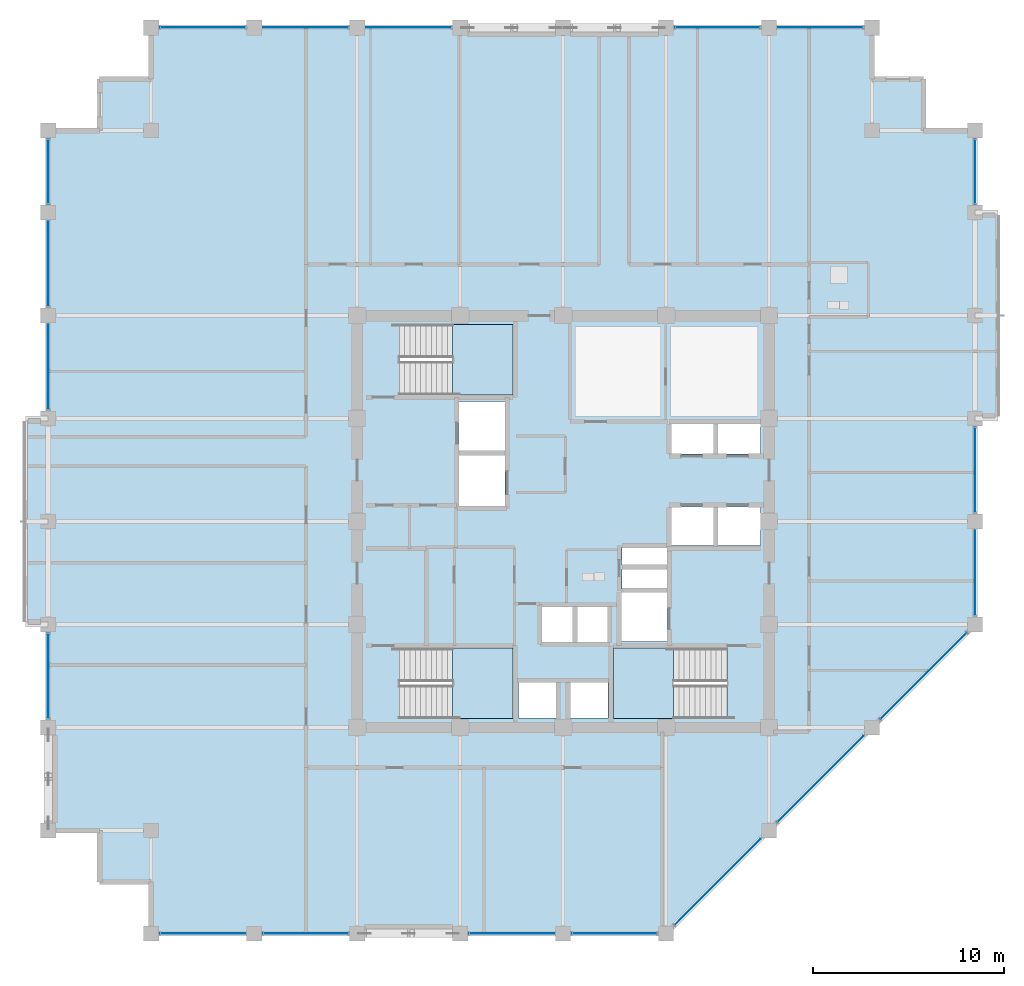
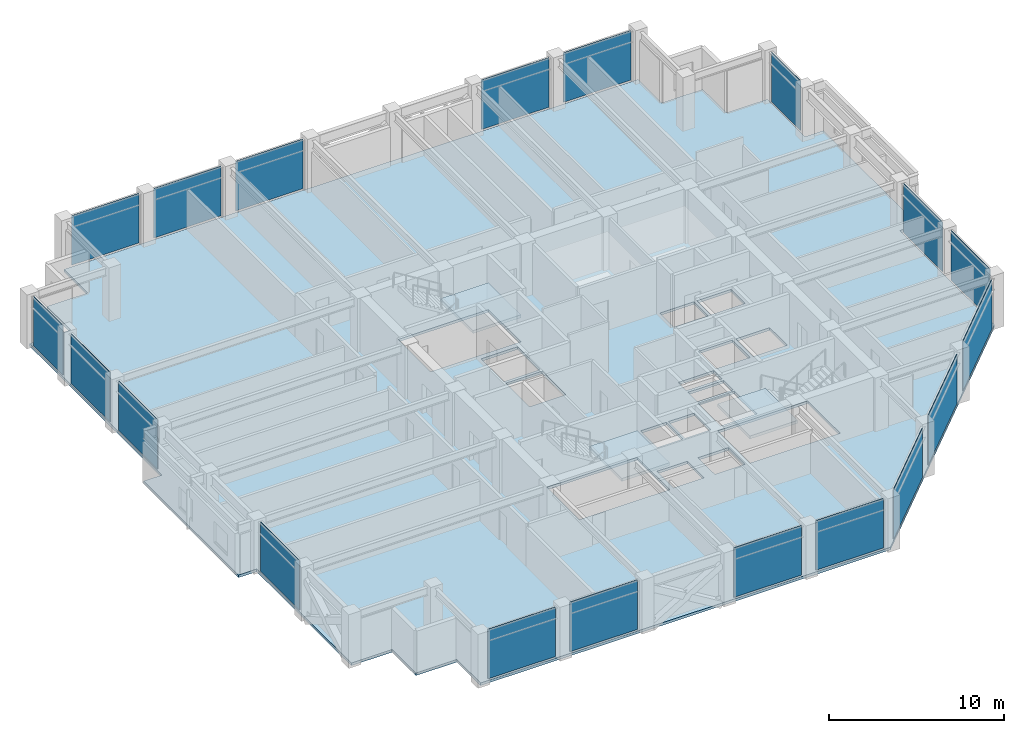
# One storey, part 23 of 30: 19 plates, 4 slabs, 12 elements without a shape of their own.
"""IFC4 building model written with IfcOpenShell, lengths in metres."""

from ifc_helpers import new_model, si_unit, direction, frame, frame_2d, origin, place, context, subcontext, project, spatial, polyline, rectangle, outline, extrude, material, layer, layer_set, type_object, element, aggregate, save


model = new_model("IFC4")

# Units and contexts
model_context = context("Model", 3, precision=1e-05, world=origin(), true_north=direction((0.0, 1.0)))
body_context = subcontext(model_context, "Body", "Model", "MODEL_VIEW")
ifc_project = project(units=[si_unit("LENGTHUNIT", "METRE"), si_unit("AREAUNIT", "SQUARE_METRE"), si_unit("VOLUMEUNIT", "CUBIC_METRE"), si_unit("PLANEANGLEUNIT", "RADIAN"), si_unit("MASSUNIT", "GRAM", prefix="KILO")], contexts=[model_context])

# Site, building, storey
site_placement = place(None, origin())
site = spatial("IfcSite", under=ifc_project, at=site_placement, CompositionType="ELEMENT")
building_placement = place(site_placement, origin())
building = spatial("IfcBuilding", under=site, at=building_placement, Name="Surkhivell Harbour Commons", CompositionType="ELEMENT")
storey_placement = place(building_placement, frame((0.0, 0.0, 227.25)))
storey = spatial("IfcBuildingStorey", under=building, at=storey_placement, Name="L59", CompositionType="ELEMENT", Elevation=227.25)

# Curtain wall, plates
ifc_material_1 = material(Name="Anodised pale-metal aluminium and insulated glazing", Category="aluminium")
ifc_layer_1 = layer(ifc_material_1, 0.18994140625)
ifc_layer_set_1 = layer_set([ifc_layer_1], Name="Anodised pale-metal aluminium and insulated glazing")
curtain_wall_type = type_object("IfcCurtainWallType", Name="CW-SYS-Z3", PredefinedType="NOTDEFINED", material=ifc_layer_set_1)
curtain_wall_1_placement = place(storey_placement, origin())
curtain_wall_1 = element("IfcCurtainWall", 1, at=curtain_wall_1_placement, inside=storey, type_object=curtain_wall_type, Name="L59 Curtain Wall CW-L59-E00S1", PredefinedType="NOTDEFINED")
ifc_material_2 = material(Name="High-pressure typhoon laminated vision glass", Category="glass")
ifc_layer_2 = layer(ifc_material_2, 0.035888671875)
ifc_layer_set_2 = layer_set([ifc_layer_2], Name="High-pressure typhoon laminated vision glass")
plate_type = type_object("IfcPlateType", Name="CWP-GLZ-36", PredefinedType="CURTAIN_PANEL", material=ifc_layer_set_2)
plate_1_placement = place(storey_placement, frame((-21.123046875, -21.60009765625, 0.1298828125), z_axis=(0.0, 0.0, 1.0), x_axis=(1.0, 0.0, 0.0)))
plate_1 = element("IfcPlate", 2, at=plate_1_placement, type_object=plate_type, Name="CW-Z3 panel 1.1", PredefinedType="CURTAIN_PANEL", context=body_context, shape_type="SweptSolid", body=[
    extrude(rectangle(XDim=4.446044921875, YDim=0.035888671875, at=frame_2d((2.22314453125, 0.0))), origin(), (0.0, 0.0, 1.0), 3.440185546875),
])
plate_2_placement = place(storey_placement, frame((-15.722900390625, -21.60009765625, 0.1298828125), z_axis=(0.0, 0.0, 1.0), x_axis=(1.0, 0.0, 0.0)))
plate_2 = element("IfcPlate", 3, at=plate_2_placement, type_object=plate_type, Name="CW-Z3 panel 2.1", PredefinedType="CURTAIN_PANEL", context=body_context, shape_type="SweptSolid", body=[
    extrude(rectangle(XDim=4.44580078125, YDim=0.035888671875, at=frame_2d((2.222900390625, 0.0))), origin(), (0.0, 0.0, 1.0), 3.440185546875),
])
aggregate(curtain_wall_1, [plate_1, plate_2])

curtain_wall_2_placement = place(storey_placement, origin())
curtain_wall_2 = element("IfcCurtainWall", 4, at=curtain_wall_2_placement, inside=storey, type_object=curtain_wall_type, Name="L59 Curtain Wall CW-L59-E00S2", PredefinedType="NOTDEFINED")
plate_3_placement = place(storey_placement, frame((-4.923095703125, -21.60009765625, 0.1298828125), z_axis=(0.0, 0.0, 1.0), x_axis=(1.0, 0.0, 0.0)))
plate_3 = element("IfcPlate", 5, at=plate_3_placement, type_object=plate_type, Name="CW-Z3 panel 1.1", PredefinedType="CURTAIN_PANEL", context=body_context, shape_type="SweptSolid", body=[
    extrude(rectangle(XDim=4.446044921875, YDim=0.035888671875, at=frame_2d((2.22314453125, 0.0))), origin(), (0.0, 0.0, 1.0), 3.440185546875),
])
plate_4_placement = place(storey_placement, frame((0.47705078125, -21.60009765625, 0.1298828125), z_axis=(0.0, 0.0, 1.0), x_axis=(1.0, 0.0, 0.0)))
plate_4 = element("IfcPlate", 6, at=plate_4_placement, type_object=plate_type, Name="CW-Z3 panel 2.1", PredefinedType="CURTAIN_PANEL", context=body_context, shape_type="SweptSolid", body=[
    extrude(rectangle(XDim=4.446044921875, YDim=0.035888671875, at=frame_2d((2.22314453125, 0.0))), origin(), (0.0, 0.0, 1.0), 3.440185546875),
])
aggregate(curtain_wall_2, [plate_3, plate_4])

curtain_wall_3_placement = place(storey_placement, origin())
curtain_wall_3 = element("IfcCurtainWall", 7, at=curtain_wall_3_placement, inside=storey, type_object=curtain_wall_type, Name="L59 Curtain Wall CW-L59-E01", PredefinedType="NOTDEFINED")
plate_5_placement = place(storey_placement, frame((5.854736328125, -21.145263671875, 0.1298828125), z_axis=(0.0, 0.0, 1.0), x_axis=(0.707106781187, 0.707106781187, 0.0)))
plate_5 = element("IfcPlate", 8, at=plate_5_placement, type_object=plate_type, Name="CW-Z3 panel 1.1", PredefinedType="CURTAIN_PANEL", context=body_context, shape_type="SweptSolid", body=[
    extrude(rectangle(XDim=6.3505859375, YDim=0.035888671875, at=frame_2d((3.17529296875, 0.0))), origin(), (0.0, 0.0, 1.0), 3.440185546875),
])
plate_6_placement = place(storey_placement, frame((11.254638671875, -15.745361328125, 0.1298828125), z_axis=(0.0, 0.0, 1.0), x_axis=(0.707106781187, 0.707106781187, 0.0)))
plate_6 = element("IfcPlate", 9, at=plate_6_placement, type_object=plate_type, Name="CW-Z3 panel 2.1", PredefinedType="CURTAIN_PANEL", context=body_context, shape_type="SweptSolid", body=[
    extrude(rectangle(XDim=6.350830078125, YDim=0.035888671875, at=frame_2d((3.17529296875, 0.0))), origin(), (0.0, 0.0, 1.0), 3.440185546875),
])
plate_7_placement = place(storey_placement, frame((16.65478515625, -10.34521484375, 0.1298828125), z_axis=(0.0, 0.0, 1.0), x_axis=(0.707106781187, 0.707106781187, 0.0)))
plate_7 = element("IfcPlate", 10, at=plate_7_placement, type_object=plate_type, Name="CW-Z3 panel 3.1", PredefinedType="CURTAIN_PANEL", context=body_context, shape_type="SweptSolid", body=[
    extrude(rectangle(XDim=6.3505859375, YDim=0.035888671875, at=frame_2d((3.17529296875, 0.0))), origin(), (0.0, 0.0, 1.0), 3.440185546875),
])
aggregate(curtain_wall_3, [plate_5, plate_6, plate_7])

curtain_wall_4_placement = place(storey_placement, origin())
curtain_wall_4 = element("IfcCurtainWall", 11, at=curtain_wall_4_placement, inside=storey, type_object=curtain_wall_type, Name="L59 Curtain Wall CW-L59-E02R1", PredefinedType="NOTDEFINED")
plate_8_placement = place(storey_placement, frame((21.60009765625, -4.923095703125, 0.1298828125), z_axis=(0.0, 0.0, 1.0), x_axis=(0.0, 1.0, 0.0)))
plate_8 = element("IfcPlate", 12, at=plate_8_placement, type_object=plate_type, Name="CW-Z3 panel 1.1", PredefinedType="CURTAIN_PANEL", context=body_context, shape_type="SweptSolid", body=[
    extrude(rectangle(XDim=4.446044921875, YDim=0.035888671875, at=frame_2d((2.22314453125, 0.0))), origin(), (0.0, 0.0, 1.0), 3.440185546875),
])
plate_9_placement = place(storey_placement, frame((21.60009765625, 0.47705078125, 0.1298828125), z_axis=(0.0, 0.0, 1.0), x_axis=(0.0, 1.0, 0.0)))
plate_9 = element("IfcPlate", 13, at=plate_9_placement, type_object=plate_type, Name="CW-Z3 panel 2.1", PredefinedType="CURTAIN_PANEL", context=body_context, shape_type="SweptSolid", body=[
    extrude(rectangle(XDim=4.446044921875, YDim=0.035888671875, at=frame_2d((2.22314453125, 0.0))), origin(), (0.0, 0.0, 1.0), 3.440185546875),
])
aggregate(curtain_wall_4, [plate_8, plate_9])

# Curtain wall, plate
curtain_wall_5_placement = place(storey_placement, origin())
curtain_wall_5 = element("IfcCurtainWall", 14, at=curtain_wall_5_placement, inside=storey, type_object=curtain_wall_type, Name="L59 Curtain Wall CW-L59-E02R2", PredefinedType="NOTDEFINED")
plate_10_placement = place(storey_placement, frame((21.60009765625, 16.677001953125, 0.1298828125), z_axis=(0.0, 0.0, 1.0), x_axis=(0.0, 1.0, 0.0)))
plate_10 = element("IfcPlate", 15, at=plate_10_placement, type_object=plate_type, Name="CW-Z3 panel 1.1", PredefinedType="CURTAIN_PANEL", context=body_context, shape_type="SweptSolid", body=[
    extrude(rectangle(XDim=3.345947265625, YDim=0.035888671875, at=frame_2d((1.6728515625, 0.0))), origin(), (0.0, 0.0, 1.0), 3.440185546875),
])
aggregate(curtain_wall_5, [plate_10])

# Curtain wall, plates
curtain_wall_6_placement = place(storey_placement, origin())
curtain_wall_6 = element("IfcCurtainWall", 16, at=curtain_wall_6_placement, inside=storey, type_object=curtain_wall_type, Name="L59 Curtain Wall CW-L59-E07S1", PredefinedType="NOTDEFINED")
plate_11_placement = place(storey_placement, frame((15.722900390625, 25.89990234375, 0.1298828125), z_axis=(0.0, 0.0, 1.0), x_axis=(-1.0, 0.0, 0.0)))
plate_11 = element("IfcPlate", 17, at=plate_11_placement, type_object=plate_type, Name="CW-Z3 panel 1.1", PredefinedType="CURTAIN_PANEL", context=body_context, shape_type="SweptSolid", body=[
    extrude(rectangle(XDim=4.44580078125, YDim=0.035888671875, at=frame_2d((2.222900390625, 0.0))), origin(), (0.0, 0.0, 1.0), 3.440185546875),
])
plate_12_placement = place(storey_placement, frame((10.322998046875, 25.89990234375, 0.1298828125), z_axis=(0.0, 0.0, 1.0), x_axis=(-1.0, 0.0, 0.0)))
plate_12 = element("IfcPlate", 18, at=plate_12_placement, type_object=plate_type, Name="CW-Z3 panel 2.1", PredefinedType="CURTAIN_PANEL", context=body_context, shape_type="SweptSolid", body=[
    extrude(rectangle(XDim=4.446044921875, YDim=0.035888671875, at=frame_2d((2.22314453125, 0.0))), origin(), (0.0, 0.0, 1.0), 3.440185546875),
])
aggregate(curtain_wall_6, [plate_11, plate_12])

curtain_wall_7_placement = place(storey_placement, origin())
curtain_wall_7 = element("IfcCurtainWall", 19, at=curtain_wall_7_placement, inside=storey, type_object=curtain_wall_type, Name="L59 Curtain Wall CW-L59-E07S2", PredefinedType="NOTDEFINED")
plate_13_placement = place(storey_placement, frame((-5.876953125, 25.89990234375, 0.1298828125), z_axis=(0.0, 0.0, 1.0), x_axis=(-1.0, 0.0, 0.0)))
plate_13 = element("IfcPlate", 20, at=plate_13_placement, type_object=plate_type, Name="CW-Z3 panel 1.1", PredefinedType="CURTAIN_PANEL", context=body_context, shape_type="SweptSolid", body=[
    extrude(rectangle(XDim=4.446044921875, YDim=0.035888671875, at=frame_2d((2.22314453125, 0.0))), origin(), (0.0, 0.0, 1.0), 3.440185546875),
])
plate_14_placement = place(storey_placement, frame((-11.277099609375, 25.89990234375, 0.1298828125), z_axis=(0.0, 0.0, 1.0), x_axis=(-1.0, 0.0, 0.0)))
plate_14 = element("IfcPlate", 21, at=plate_14_placement, type_object=plate_type, Name="CW-Z3 panel 2.1", PredefinedType="CURTAIN_PANEL", context=body_context, shape_type="SweptSolid", body=[
    extrude(rectangle(XDim=4.44580078125, YDim=0.035888671875, at=frame_2d((2.222900390625, 0.0))), origin(), (0.0, 0.0, 1.0), 3.440185546875),
])
plate_15_placement = place(storey_placement, frame((-16.677001953125, 25.89990234375, 0.1298828125), z_axis=(0.0, 0.0, 1.0), x_axis=(-1.0, 0.0, 0.0)))
plate_15 = element("IfcPlate", 22, at=plate_15_placement, type_object=plate_type, Name="CW-Z3 panel 3.1", PredefinedType="CURTAIN_PANEL", context=body_context, shape_type="SweptSolid", body=[
    extrude(rectangle(XDim=4.446044921875, YDim=0.035888671875, at=frame_2d((2.22314453125, 0.0))), origin(), (0.0, 0.0, 1.0), 3.440185546875),
])
aggregate(curtain_wall_7, [plate_13, plate_14, plate_15])

# Curtain wall, plate
curtain_wall_8_placement = place(storey_placement, origin())
curtain_wall_8 = element("IfcCurtainWall", 23, at=curtain_wall_8_placement, inside=storey, type_object=curtain_wall_type, Name="L59 Curtain Wall CW-L59-E12R1S1", PredefinedType="NOTDEFINED")
plate_16_placement = place(storey_placement, frame((-27.0, -10.322998046875, 0.1298828125), z_axis=(0.0, 0.0, 1.0), x_axis=(0.0, 1.0, 0.0)))
plate_16 = element("IfcPlate", 24, at=plate_16_placement, type_object=plate_type, Name="CW-Z3 panel 1.1", PredefinedType="CURTAIN_PANEL", context=body_context, shape_type="SweptSolid", body=[
    extrude(rectangle(XDim=4.446044921875, YDim=0.035888671875, at=frame_2d((2.22314453125, 0.0))), origin(), (0.0, 0.0, 1.0), 3.440185546875),
])
aggregate(curtain_wall_8, [plate_16])

# Curtain wall, plates
curtain_wall_9_placement = place(storey_placement, origin())
curtain_wall_9 = element("IfcCurtainWall", 25, at=curtain_wall_9_placement, inside=storey, type_object=curtain_wall_type, Name="L59 Curtain Wall CW-L59-E12R2", PredefinedType="NOTDEFINED")
plate_17_placement = place(storey_placement, frame((-27.0, 5.876953125, 0.1298828125), z_axis=(0.0, 0.0, 1.0), x_axis=(0.0, 1.0, 0.0)))
plate_17 = element("IfcPlate", 26, at=plate_17_placement, type_object=plate_type, Name="CW-Z3 panel 1.1", PredefinedType="CURTAIN_PANEL", context=body_context, shape_type="SweptSolid", body=[
    extrude(rectangle(XDim=4.446044921875, YDim=0.035888671875, at=frame_2d((2.22314453125, 0.0))), origin(), (0.0, 0.0, 1.0), 3.440185546875),
])
plate_18_placement = place(storey_placement, frame((-27.0, 11.277099609375, 0.1298828125), z_axis=(0.0, 0.0, 1.0), x_axis=(0.0, 1.0, 0.0)))
plate_18 = element("IfcPlate", 27, at=plate_18_placement, type_object=plate_type, Name="CW-Z3 panel 2.1", PredefinedType="CURTAIN_PANEL", context=body_context, shape_type="SweptSolid", body=[
    extrude(rectangle(XDim=4.44580078125, YDim=0.035888671875, at=frame_2d((2.222900390625, 0.0))), origin(), (0.0, 0.0, 1.0), 3.440185546875),
])
plate_19_placement = place(storey_placement, frame((-27.0, 16.677001953125, 0.1298828125), z_axis=(0.0, 0.0, 1.0), x_axis=(0.0, 1.0, 0.0)))
plate_19 = element("IfcPlate", 28, at=plate_19_placement, type_object=plate_type, Name="CW-Z3 panel 3.1", PredefinedType="CURTAIN_PANEL", context=body_context, shape_type="SweptSolid", body=[
    extrude(rectangle(XDim=3.345947265625, YDim=0.035888671875, at=frame_2d((1.6728515625, 0.0))), origin(), (0.0, 0.0, 1.0), 3.440185546875),
])
aggregate(curtain_wall_9, [plate_17, plate_18, plate_19])

# Stair, slab
ifc_material_3 = material(Name="Precast concrete C45/55", Category="concrete")
stair_type = type_object("IfcStairType", Name="STR-DL-375", PredefinedType="HALF_TURN_STAIR", material=ifc_material_3)
stair_1_placement = place(storey_placement, origin())
stair_1 = element("IfcStair", 29, at=stair_1_placement, inside=storey, type_object=stair_type, Name="L59 Core Exit Stair ST1", PredefinedType="HALF_TURN_STAIR")
ifc_material_4 = material(Name="Reinforced concrete C45/55", Category="concrete")
ifc_layer_3 = layer(ifc_material_4, 0.199951171875)
ifc_layer_set_3 = layer_set([ifc_layer_3], Name="Reinforced concrete C45/55")
slab_type_1 = type_object("IfcSlabType", Name="SLB-ST-LND200", PredefinedType="LANDING", material=ifc_layer_set_3)
slab_1_placement = place(storey_placement, frame((0.0, 0.0, 1.675048828125)))
slab_1 = element("IfcSlab", 30, at=slab_1_placement, type_object=slab_type_1, Name="ST1 landing 1", PredefinedType="LANDING", context=body_context, shape_type="SweptSolid", body=[
    extrude(outline(polyline([(-5.7900390625, 6.639892578125), (-2.639892578125, 6.639892578125), (-2.639892578125, 10.340087890625), (-5.7900390625, 10.340087890625), (-5.7900390625, 6.639892578125)])), origin(), (0.0, 0.0, 1.0), 0.199951171875),
])
aggregate(stair_1, [slab_1])

stair_2_placement = place(storey_placement, origin())
stair_2 = element("IfcStair", 31, at=stair_2_placement, inside=storey, type_object=stair_type, Name="L59 Core Exit Stair ST2", PredefinedType="HALF_TURN_STAIR")
slab_2_placement = place(storey_placement, frame((0.0, 0.0, 1.675048828125)))
slab_2 = element("IfcSlab", 32, at=slab_2_placement, type_object=slab_type_1, Name="ST2 landing 1", PredefinedType="LANDING", context=body_context, shape_type="SweptSolid", body=[
    extrude(outline(polyline([(5.7900390625, -6.639892578125), (2.639892578125, -6.639892578125), (2.639892578125, -10.340087890625), (5.7900390625, -10.340087890625), (5.7900390625, -6.639892578125)])), origin(), (0.0, 0.0, 1.0), 0.199951171875),
])
aggregate(stair_2, [slab_2])

stair_3_placement = place(storey_placement, origin())
stair_3 = element("IfcStair", 33, at=stair_3_placement, inside=storey, type_object=stair_type, Name="L59 Core Exit Stair ST3", PredefinedType="HALF_TURN_STAIR")
slab_3_placement = place(storey_placement, frame((0.0, 0.0, 1.675048828125)))
slab_3 = element("IfcSlab", 34, at=slab_3_placement, type_object=slab_type_1, Name="ST3 landing 1", PredefinedType="LANDING", context=body_context, shape_type="SweptSolid", body=[
    extrude(outline(polyline([(-5.7900390625, -10.340087890625), (-2.639892578125, -10.340087890625), (-2.639892578125, -6.639892578125), (-5.7900390625, -6.639892578125), (-5.7900390625, -10.340087890625)])), origin(), (0.0, 0.0, 1.0), 0.199951171875),
])
aggregate(stair_3, [slab_3])

# Slab
ifc_material_5 = material(Name="Concrete C45/55", Category="concrete")
ifc_layer_4 = layer(ifc_material_5, 0.179931640625)
ifc_layer_set_4 = layer_set([ifc_layer_4], Name="Concrete C45/55")
slab_type_2 = type_object("IfcSlabType", Name="SLB-TYP-180", PredefinedType="FLOOR", material=ifc_layer_set_4)
slab_4_placement = place(storey_placement, frame((0.0, 0.0, -0.179931640625)))
element("IfcSlab", 35, at=slab_4_placement, inside=storey, type_object=slab_type_2, Name="L59 Structural Floor Slab", PredefinedType="FLOOR", context=body_context, shape_type="SweptSolid", body=[
    extrude(outline(polyline([(-27.0, 20.5), (-27.0, 5.39990234375), (-28.199951171875, 5.39990234375), (-28.199951171875, -5.39990234375), (-27.0, -5.39990234375), (-27.0, -16.199951171875), (-24.300048828125, -16.199951171875), (-24.300048828125, -18.89990234375), (-21.60009765625, -18.89990234375), (-21.60009765625, -21.60009765625), (5.39990234375, -21.60009765625), (21.60009765625, -5.39990234375), (21.60009765625, 5.39990234375), (22.800048828125, 5.39990234375), (22.800048828125, 16.199951171875), (21.60009765625, 16.199951171875), (21.60009765625, 20.5), (18.89990234375, 20.5), (18.89990234375, 23.199951171875), (16.199951171875, 23.199951171875), (16.199951171875, 25.89990234375), (-21.60009765625, 25.89990234375), (-21.60009765625, 23.199951171875), (-24.300048828125, 23.199951171875), (-24.300048828125, 20.5), (-27.0, 20.5)]), holes=[polyline([(-8.590087890625, 6.639892578125), (-2.639892578125, 6.639892578125), (-2.639892578125, 10.340087890625), (-8.590087890625, 10.340087890625), (-8.590087890625, 6.639892578125)]), polyline([(8.590087890625, -6.639892578125), (2.639892578125, -6.639892578125), (2.639892578125, -10.340087890625), (8.590087890625, -10.340087890625), (8.590087890625, -6.639892578125)]), polyline([(-8.590087890625, -10.340087890625), (-2.639892578125, -10.340087890625), (-2.639892578125, -6.639892578125), (-8.590087890625, -6.639892578125), (-8.590087890625, -10.340087890625)]), polyline([(5.64990234375, 3.550048828125), (7.89990234375, 3.550048828125), (7.89990234375, 5.14990234375), (5.64990234375, 5.14990234375), (5.64990234375, 3.550048828125)]), polyline([(8.10009765625, 3.550048828125), (10.35009765625, 3.550048828125), (10.35009765625, 5.14990234375), (8.10009765625, 5.14990234375), (8.10009765625, 3.550048828125)]), polyline([(5.64990234375, -1.25), (7.89990234375, -1.25), (7.89990234375, 0.75), (5.64990234375, 0.75), (5.64990234375, -1.25)]), polyline([(8.10009765625, -1.25), (10.35009765625, -1.25), (10.35009765625, 0.75), (8.10009765625, 0.75), (8.10009765625, -1.25)]), polyline([(-1.14990234375, -6.35009765625), (0.550048828125, -6.35009765625), (0.550048828125, -4.449951171875), (-1.14990234375, -4.449951171875), (-1.14990234375, -6.35009765625)]), polyline([(0.679931640625, -6.35009765625), (2.3798828125, -6.35009765625), (2.3798828125, -4.449951171875), (0.679931640625, -4.449951171875), (0.679931640625, -6.35009765625)]), polyline([(-2.35009765625, -10.300048828125), (-0.35009765625, -10.300048828125), (-0.35009765625, -8.39990234375), (-2.35009765625, -8.39990234375), (-2.35009765625, -10.300048828125)]), polyline([(0.35009765625, -10.300048828125), (2.35009765625, -10.300048828125), (2.35009765625, -8.39990234375), (0.35009765625, -8.39990234375), (0.35009765625, -10.300048828125)]), polyline([(-5.449951171875, 3.699951171875), (-3.050048828125, 3.699951171875), (-3.050048828125, 6.300048828125), (-5.449951171875, 6.300048828125), (-5.449951171875, 3.699951171875)]), polyline([(3.050048828125, -6.300048828125), (5.449951171875, -6.300048828125), (5.449951171875, -3.699951171875), (3.050048828125, -3.699951171875), (3.050048828125, -6.300048828125)]), polyline([(-5.449951171875, 0.800048828125), (-3.050048828125, 0.800048828125), (-3.050048828125, 3.5), (-5.449951171875, 3.5), (-5.449951171875, 0.800048828125)]), polyline([(3.10009765625, -3.550048828125), (5.449951171875, -3.550048828125), (5.449951171875, -2.47998046875), (3.10009765625, -2.47998046875), (3.10009765625, -3.550048828125)]), polyline([(3.10009765625, -2.280029296875), (5.449951171875, -2.280029296875), (5.449951171875, -1.35009765625), (3.10009765625, -1.35009765625), (3.10009765625, -2.280029296875)])]), origin(), (0.0, 0.0, 1.0), 0.179931640625),
])

save(model, "model.ifc")
